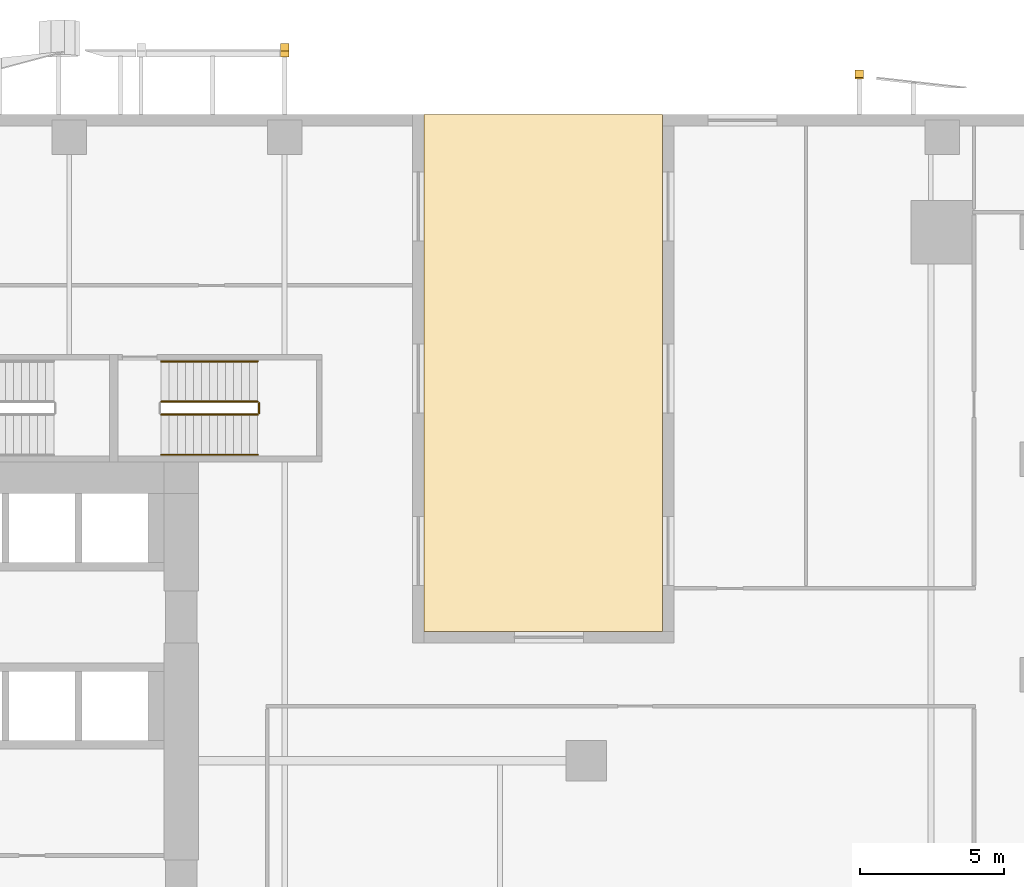
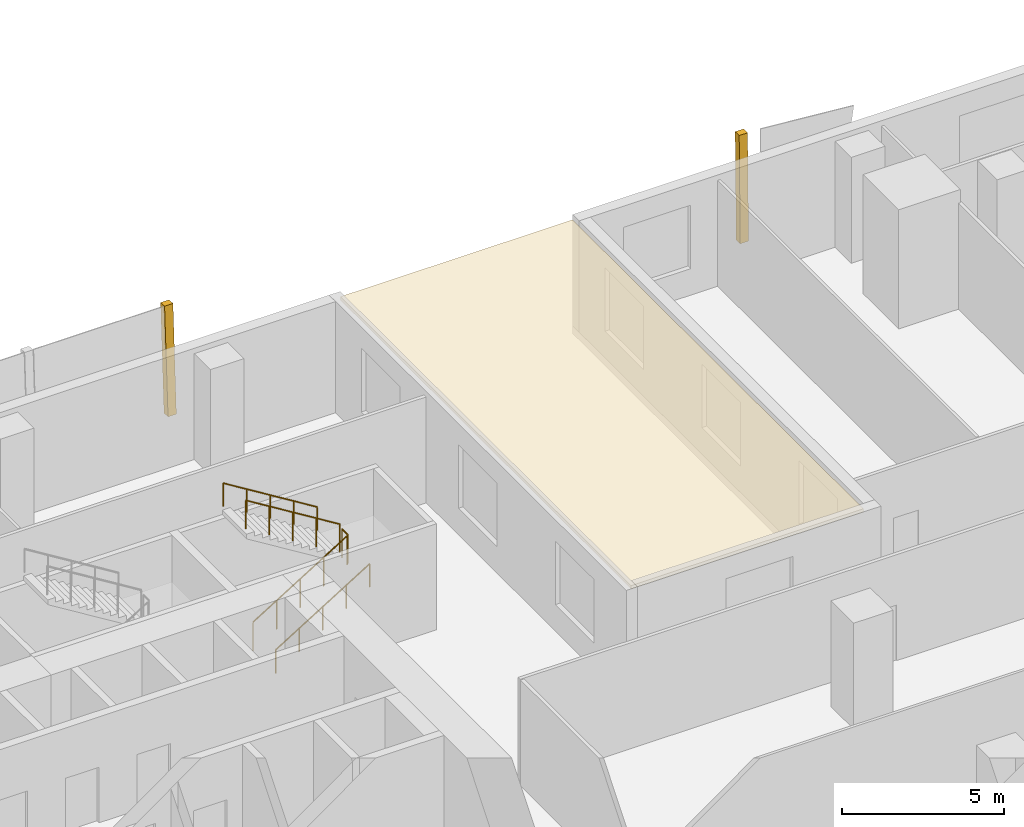
# One storey, part 19 of 21: 5 railings, 3 coverings.
"""IFC4 building model written with IfcOpenShell, lengths in metres."""

from ifc_helpers import new_model, si_unit, direction, frame, origin, origin_2d, place, context, subcontext, project, spatial, polyline, circle, outline, extrude, source, transform, mapped, material, layer, layer_set, type_object, element, save


model = new_model("IFC4")

# Units and contexts
model_context = context("Model", 3, precision=1e-05, world=origin(), true_north=direction((0.0, 1.0)))
body_context = subcontext(model_context, "Body", "Model", "MODEL_VIEW")
ifc_project = project(units=[si_unit("LENGTHUNIT", "METRE"), si_unit("AREAUNIT", "SQUARE_METRE"), si_unit("VOLUMEUNIT", "CUBIC_METRE"), si_unit("PLANEANGLEUNIT", "RADIAN"), si_unit("MASSUNIT", "GRAM", prefix="KILO")], contexts=[model_context])

# Site, building, storey
site_placement = place(None, origin())
site = spatial("IfcSite", under=ifc_project, at=site_placement, CompositionType="ELEMENT")
building_placement = place(site_placement, origin())
building = spatial("IfcBuilding", under=site, at=building_placement, Name="Khomas Fold Tower", CompositionType="ELEMENT")
storey_placement = place(building_placement, frame((0.0, 0.0, 28.5)))
storey = spatial("IfcBuildingStorey", under=building, at=storey_placement, Name="L05", CompositionType="ELEMENT", Elevation=28.5)

# Coverings
ifc_material_1 = material(Name="Natural stone cladding", Category="masonry")
ifc_layer_1 = layer(ifc_material_1, 0.25)
ifc_layer_set_1 = layer_set([ifc_layer_1], Name="Natural stone cladding")
covering_type_1 = type_object("IfcCoveringType", Name="SK-Karibib marble stone mullion", PredefinedType="CLADDING", material=ifc_layer_set_1)
covering_1_placement = place(storey_placement, frame((27.14990234375, 56.212890625, 4.050048828125), z_axis=(0.0, -0.998627623239, 0.052372417398), x_axis=(0.0, -0.052372417398, -0.998627623239)))
element("IfcCovering", 1, at=covering_1_placement, inside=storey, type_object=covering_type_1, Name="OUTER SKIN mullion L05 NM103-8", PredefinedType="CLADDING", context=body_context, shape_type="SweptSolid", body=[
    extrude(outline(polyline([(0.0, 0.0), (4.055614659435384, 0.0), (4.055614659435384, -0.2998046875), (0.0, -0.2998046875), (0.0, 0.0)])), origin(), (0.0, 0.0, -1.0), 0.25),
])
covering_2_placement = place(storey_placement, frame((47.14990234375, 55.2939453125, 4.050048828125), z_axis=(0.0, -0.999876254337, 0.015731370329), x_axis=(0.0, -0.015731370329, -0.999876254337)))
element("IfcCovering", 2, at=covering_2_placement, inside=storey, type_object=covering_type_1, Name="OUTER SKIN mullion L05 NM107-9", PredefinedType="CLADDING", context=body_context, shape_type="SweptSolid", body=[
    extrude(outline(polyline([(0.0, 0.0), (4.050550066127245, 0.0), (4.050550066127245, -0.2998046875), (0.0, -0.2998046875), (0.0, 0.0)])), origin(), (0.0, 0.0, -1.0), 0.25),
])
ifc_material_2 = material(Name="Natural stone cladding", Category="masonry")
ifc_layer_2 = layer(ifc_material_2, 0.1201171875)
ifc_layer_set_2 = layer_set([ifc_layer_2], Name="Natural stone cladding")
covering_type_2 = type_object("IfcCoveringType", Name="Notch soffit stone GN-SF", PredefinedType="CLADDING", material=ifc_layer_set_2)
shared_shape_1 = source(origin(), body_context, "Body", "SweptSolid", [
    extrude(outline(polyline([(40.14990234375, 36.0), (40.14990234375, 54.0), (31.85009765625, 54.0), (31.85009765625, 36.0), (40.14990234375, 36.0)])), origin(), (0.0, 0.0, 1.0), 0.1201171875),
])
covering_3_placement = place(storey_placement, frame((0.0, 0.0, 3.8798828125)))
element("IfcCovering", 3, at=covering_3_placement, inside=storey, type_object=covering_type_2, Name="Notch soffit stone", PredefinedType="CLADDING", context=body_context, shape_type="MappedRepresentation", body=[
    mapped(shared_shape_1, transform((0.0, 0.0, 0.0))),
])

# Railings
ifc_material_3 = material(Name="Steel balustrade", Category="steel")
railing_type_1 = type_object("IfcRailingType", Name="Stair guard", PredefinedType="GUARDRAIL", material=ifc_material_3)
shared_shape_2 = source(origin(), body_context, "Body", "SweptSolid", [
    extrude(circle(Radius=0.02392578125, at=origin_2d()), frame((0.0, 0.0, 1.076171875), z_axis=(0.0, 1.0, 0.0), x_axis=(-1.0, 0.0, 0.0)), (0.0, 0.0, 1.0), 0.349853515625),
    extrude(circle(Radius=0.02099609375, at=origin_2d()), origin(), (0.0, 0.0, 1.0), 1.052001953125),
    extrude(circle(Radius=0.02099609375, at=origin_2d()), frame((0.0, 0.349853515625, 0.0)), (0.0, 0.0, 1.0), 1.052001953125),
])
railing_1_placement = place(storey_placement, frame((26.110107421875, 43.60009765625, 2.25)))
element("IfcRailing", 4, at=railing_1_placement, inside=storey, type_object=railing_type_1, Name="L05 ST3 stair guard 2", PredefinedType="GUARDRAIL", context=body_context, shape_type="MappedRepresentation", body=[
    mapped(shared_shape_2, transform((0.0, 0.0, 0.0))),
])
shared_shape_3 = source(origin(), body_context, "Body", "SweptSolid", [
    extrude(circle(Radius=0.02392578125, at=origin_2d()), frame((0.0, 0.0, 1.076171875), z_axis=(0.850623216509, 0.0, 0.525775754039), x_axis=(0.0, 1.0, 0.0)), (0.0, 0.0, 1.0), 3.9501953125),
    extrude(circle(Radius=0.02099609375, at=origin_2d()), origin(), (0.0, 0.0, 1.0), 1.052001953125),
    extrude(circle(Radius=0.02099609375, at=origin_2d()), frame((0.840087890625, 0.0, 0.519287109375)), (0.0, 0.0, 1.0), 1.052001953125),
    extrude(circle(Radius=0.02099609375, at=origin_2d()), frame((1.68017578125, 0.0, 1.03857421875)), (0.0, 0.0, 1.0), 1.052001953125),
    extrude(circle(Radius=0.02099609375, at=origin_2d()), frame((2.52001953125, 0.0, 1.5576171875)), (0.0, 0.0, 1.0), 1.052001953125),
    extrude(circle(Radius=0.02099609375, at=origin_2d()), frame((3.360107421875, 0.0, 2.076904296875)), (0.0, 0.0, 1.0), 1.052001953125),
])
railing_2_placement = place(storey_placement, frame((22.699951171875, 43.550048828125, 0.173095703125)))
element("IfcRailing", 5, at=railing_2_placement, inside=storey, type_object=railing_type_1, Name="L05 ST3 stair guard 1", PredefinedType="GUARDRAIL", context=body_context, shape_type="MappedRepresentation", body=[
    mapped(shared_shape_3, transform((0.0, 0.0, 0.0))),
])
shared_shape_4 = source(origin(), body_context, "Body", "SweptSolid", [
    extrude(circle(Radius=0.02392578125, at=origin_2d()), frame((0.0, 0.0, 1.076171875), z_axis=(-0.850623216509, 0.0, 0.525775754039), x_axis=(0.0, -1.0, 0.0)), (0.0, 0.0, 1.0), 3.9501953125),
    extrude(circle(Radius=0.02099609375, at=origin_2d()), origin(), (0.0, 0.0, 1.0), 1.052001953125),
    extrude(circle(Radius=0.02099609375, at=origin_2d()), frame((-0.840087890625, 0.0, 0.519287109375)), (0.0, 0.0, 1.0), 1.052001953125),
    extrude(circle(Radius=0.02099609375, at=origin_2d()), frame((-1.68017578125, 0.0, 1.03857421875)), (0.0, 0.0, 1.0), 1.052001953125),
    extrude(circle(Radius=0.02099609375, at=origin_2d()), frame((-2.52001953125, 0.0, 1.5576171875)), (0.0, 0.0, 1.0), 1.052001953125),
    extrude(circle(Radius=0.02099609375, at=origin_2d()), frame((-3.360107421875, 0.0, 2.076904296875)), (0.0, 0.0, 1.0), 1.052001953125),
])
railing_3_placement = place(storey_placement, frame((26.06005859375, 44.0, 2.423095703125)))
element("IfcRailing", 6, at=railing_3_placement, inside=storey, type_object=railing_type_1, Name="L05 ST3 stair guard 3", PredefinedType="GUARDRAIL", context=body_context, shape_type="MappedRepresentation", body=[
    mapped(shared_shape_4, transform((0.0, 0.0, 0.0))),
])
ifc_material_4 = material(Name="Steel handrail", Category="steel")
railing_type_2 = type_object("IfcRailingType", Name="Stair handrail", PredefinedType="HANDRAIL", material=ifc_material_4)
shared_shape_5 = source(origin(), body_context, "Body", "SweptSolid", [
    extrude(circle(Radius=0.02392578125, at=origin_2d()), frame((0.0, 0.0, 0.8759765625), z_axis=(0.850623216509, 0.0, 0.525775754039), x_axis=(0.0, 1.0, 0.0)), (0.0, 0.0, 1.0), 3.9501953125),
    extrude(circle(Radius=0.02099609375, at=origin_2d()), origin(), (0.0, 0.0, 1.0), 0.851806640625),
    extrude(circle(Radius=0.02099609375, at=origin_2d()), frame((0.840087890625, 0.0, 0.519287109375)), (0.0, 0.0, 1.0), 0.851806640625),
    extrude(circle(Radius=0.02099609375, at=origin_2d()), frame((1.68017578125, 0.0, 1.03857421875)), (0.0, 0.0, 1.0), 0.851806640625),
    extrude(circle(Radius=0.02099609375, at=origin_2d()), frame((2.52001953125, 0.0, 1.5576171875)), (0.0, 0.0, 1.0), 0.851806640625),
    extrude(circle(Radius=0.02099609375, at=origin_2d()), frame((3.360107421875, 0.0, 2.076904296875)), (0.0, 0.0, 1.0), 0.851806640625),
])
railing_4_placement = place(storey_placement, frame((22.699951171875, 42.14990234375, 0.173095703125)))
element("IfcRailing", 7, at=railing_4_placement, inside=storey, type_object=railing_type_2, Name="L05 ST3 stair handrail 1", PredefinedType="HANDRAIL", context=body_context, shape_type="MappedRepresentation", body=[
    mapped(shared_shape_5, transform((0.0, 0.0, 0.0))),
])
shared_shape_6 = source(origin(), body_context, "Body", "SweptSolid", [
    extrude(circle(Radius=0.02392578125, at=origin_2d()), frame((0.0, 0.0, 0.8759765625), z_axis=(-0.850623216509, 0.0, 0.525775754039), x_axis=(0.0, -1.0, 0.0)), (0.0, 0.0, 1.0), 3.9501953125),
    extrude(circle(Radius=0.02099609375, at=origin_2d()), origin(), (0.0, 0.0, 1.0), 0.851806640625),
    extrude(circle(Radius=0.02099609375, at=origin_2d()), frame((-0.840087890625, 0.0, 0.519287109375)), (0.0, 0.0, 1.0), 0.851806640625),
    extrude(circle(Radius=0.02099609375, at=origin_2d()), frame((-1.68017578125, 0.0, 1.03857421875)), (0.0, 0.0, 1.0), 0.851806640625),
    extrude(circle(Radius=0.02099609375, at=origin_2d()), frame((-2.52001953125, 0.0, 1.5576171875)), (0.0, 0.0, 1.0), 0.851806640625),
    extrude(circle(Radius=0.02099609375, at=origin_2d()), frame((-3.360107421875, 0.0, 2.076904296875)), (0.0, 0.0, 1.0), 0.851806640625),
])
railing_5_placement = place(storey_placement, frame((26.06005859375, 45.39990234375, 2.423095703125)))
element("IfcRailing", 8, at=railing_5_placement, inside=storey, type_object=railing_type_2, Name="L05 ST3 stair handrail 2", PredefinedType="HANDRAIL", context=body_context, shape_type="MappedRepresentation", body=[
    mapped(shared_shape_6, transform((0.0, 0.0, 0.0))),
])

save(model, "model.ifc")
